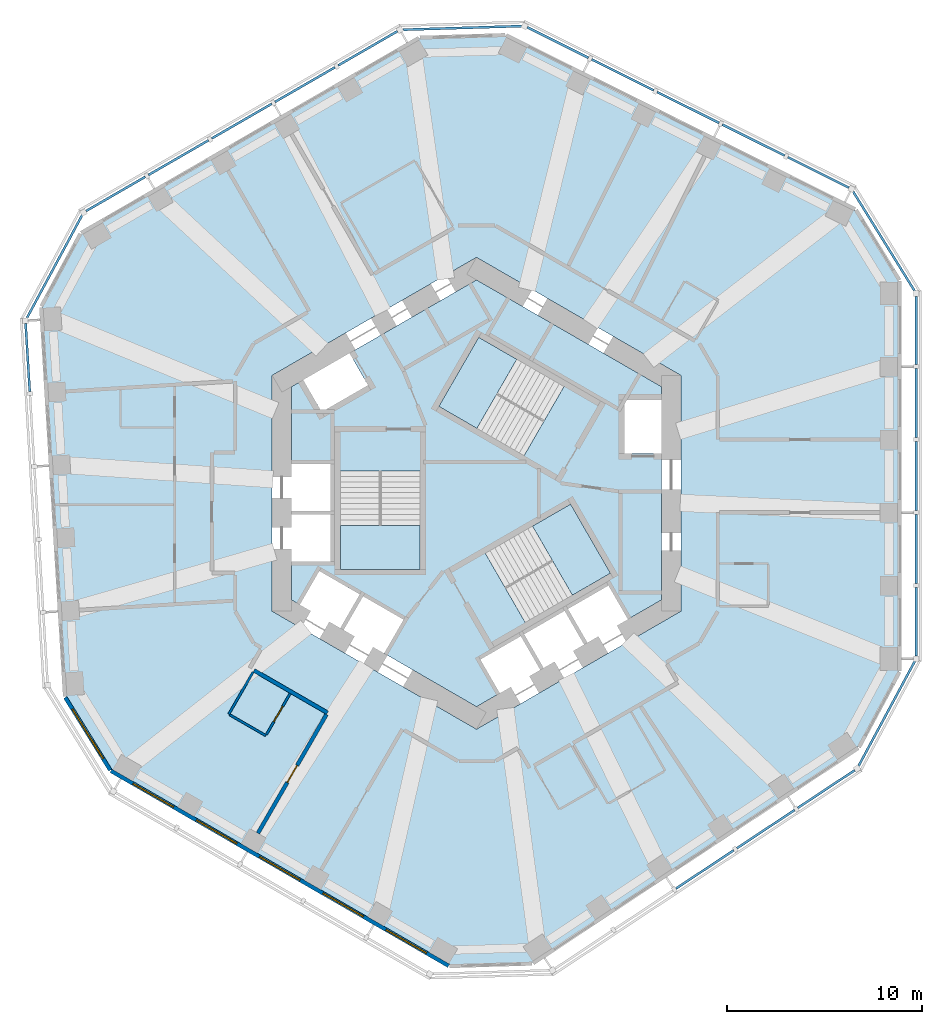
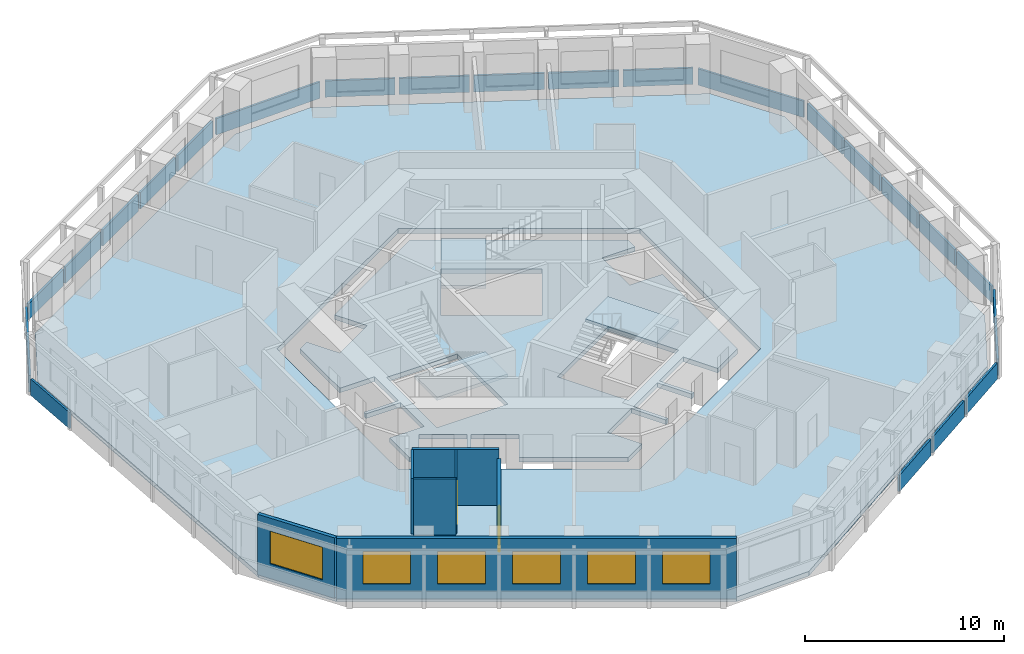
# One storey, part 3 of 11: 23 plates, 7 walls, 6 windows, 5 slabs, 2 doors, 8 openings, 12 elements without a shape of their own.
"""IFC4 building model written with IfcOpenShell, lengths in metres."""

from ifc_helpers import new_model, si_unit, direction, frame, frame_2d, origin, origin_2d, place, context, subcontext, project, spatial, polyline, rectangle, outline, extrude, material, layer, layer_set, type_object, element, fill, aggregate, save


model = new_model("IFC4")

# Units and contexts
model_context = context("Model", 3, precision=1e-05, world=origin(), true_north=direction((0.0, 1.0)))
body_context = subcontext(model_context, "Body", "Model", "MODEL_VIEW")
ifc_project = project(units=[si_unit("LENGTHUNIT", "METRE"), si_unit("AREAUNIT", "SQUARE_METRE"), si_unit("VOLUMEUNIT", "CUBIC_METRE"), si_unit("PLANEANGLEUNIT", "RADIAN"), si_unit("MASSUNIT", "GRAM", prefix="KILO")], contexts=[model_context])

# Site, building, storey
site_placement = place(None, origin())
site = spatial("IfcSite", under=ifc_project, at=site_placement, CompositionType="ELEMENT")
building_placement = place(site_placement, origin())
building = spatial("IfcBuilding", under=site, at=building_placement, Name="Vanh Sen Convention Tower", CompositionType="ELEMENT")
storey_placement = place(building_placement, frame((0.0, 0.0, 154.0)))
storey = spatial("IfcBuildingStorey", under=building, at=storey_placement, Name="L37", CompositionType="ELEMENT", Elevation=154.0)

# Slabs
ifc_material_1 = material(Name="Concrete C40/50", Category="concrete")
ifc_layer_1 = layer(ifc_material_1, 0.280029296875)
ifc_layer_set_1 = layer_set([ifc_layer_1], Name="Concrete C40/50")
slab_type_1 = type_object("IfcSlabType", Name="Core slab 280", PredefinedType="FLOOR", material=ifc_layer_set_1)
slab_1_placement = place(storey_placement, frame((0.0, 0.0, -0.280029296875)))
element("IfcSlab", 1, at=slab_1_placement, inside=storey, type_object=slab_type_1, Name="Core slab L37", PredefinedType="FLOOR", context=body_context, shape_type="SweptSolid", body=[
    extrude(outline(polyline([(0.0, 10.9697265625), (9.5, 5.48486328125), (9.5, 4.800048828125), (7.60009765625, 4.800048828125), (7.60009765625, 2.050048828125), (9.5, 2.050048828125), (9.5, -5.48486328125), (7.781005859375, -6.477294921875), (6.781005859375, -4.7451171875), (4.70263671875, -5.9453125), (5.70263671875, -7.67724609375), (5.529296875, -7.777099609375), (4.529296875, -6.045166015625), (2.450927734375, -7.2451171875), (3.450927734375, -8.977294921875), (3.27783203125, -9.0771484375), (2.27783203125, -7.34521484375), (0.19921875, -8.545166015625), (1.19921875, -10.277099609375), (0.0, -10.9697265625), (-4.75, -8.227294921875), (-3.75, -6.4951171875), (-5.82861328125, -5.295166015625), (-6.82861328125, -7.027099609375), (-7.001708984375, -6.92724609375), (-6.001708984375, -5.1953125), (-8.080078125, -3.9951171875), (-9.080078125, -5.727294921875), (-9.5, -5.48486328125), (-9.5, -3.5), (-7.5, -3.5), (-7.5, -1.10009765625), (-9.5, -1.10009765625), (-9.5, -0.89990234375), (-7.5, -0.89990234375), (-7.5, 1.5), (-9.5, 1.5), (-9.5, 5.48486328125), (-8.906982421875, 5.8271484375), (-7.956787109375, 4.181884765625), (-5.575439453125, 5.556884765625), (-6.525390625, 7.2021484375), (0.0, 10.9697265625)]), holes=[polyline([(-7.0, 1.1494140625), (-7.0, -3.909912109375), (-2.89990234375, -3.909912109375), (-2.89990234375, 1.1494140625), (-7.0, 1.1494140625)]), polyline([(2.504638671875, -6.63671875), (6.88623046875, -4.107177734375), (4.836181640625, -0.556396484375), (0.45458984375, -3.086181640625), (2.504638671875, -6.63671875)]), polyline([(0.11376953125, 8.01708984375), (-1.936279296875, 4.466552734375), (2.4453125, 1.936767578125), (4.495361328125, 5.487548828125), (0.11376953125, 8.01708984375)])]), origin(), (0.0, 0.0, 1.0), 0.280029296875),
])
ifc_layer_2 = layer(ifc_material_1, 0.280029296875)
ifc_layer_set_2 = layer_set([ifc_layer_2], Name="Concrete C40/50")
slab_type_2 = type_object("IfcSlabType", Name="Floor slab 280 REI 120", PredefinedType="FLOOR", material=ifc_layer_set_2)
slab_2_placement = place(storey_placement, frame((0.0, 0.0, -0.280029296875)))
element("IfcSlab", 2, at=slab_2_placement, inside=storey, type_object=slab_type_2, Name="Floor slab L37 tower", PredefinedType="FLOOR", context=body_context, shape_type="SweptSolid", body=[
    extrude(outline(polyline([(21.699951171875, -9.15087890625), (21.699951171875, 10.91943359375), (19.454833984375, 14.5478515625), (1.492919921875, 23.503173828125), (-2.925048828125, 23.368408203125), (-20.306640625, 13.3330078125), (-22.326171875, 9.574462890625), (-21.100830078125, -10.458740234375), (-18.77490234375, -14.21728515625), (-1.393310546875, -24.25244140625), (2.871337890625, -24.122314453125), (19.60791015625, -13.04443359375), (21.699951171875, -9.15087890625)]), holes=[polyline([(0.0, 12.12451171875), (-10.5, 6.062255859375), (-10.5, -6.062255859375), (0.0, -12.12451171875), (10.5, -6.062255859375), (10.5, 6.062255859375), (0.0, 12.12451171875)])]), origin(), (0.0, 0.0, 1.0), 0.280029296875),
])

# Curtain wall, plates
ifc_material_2 = material(Name="Concrete C50/60", Category="concrete")
curtain_wall_type = type_object("IfcCurtainWallType", Name="Outer skin office zone", PredefinedType="NOTDEFINED", material=ifc_material_2)
curtain_wall_1_placement = place(storey_placement, origin())
curtain_wall_1 = element("IfcCurtainWall", 3, at=curtain_wall_1_placement, inside=storey, type_object=curtain_wall_type, Name="OUTER SKIN E L37", PredefinedType="NOTDEFINED")
ifc_layer_3 = layer(ifc_material_2, 0.1201171875)
ifc_layer_set_3 = layer_set([ifc_layer_3], Name="Concrete C50/60")
plate_type = type_object("IfcPlateType", Name="Outer skin precast screen panel 120", PredefinedType="CURTAIN_PANEL", material=ifc_layer_set_3)
plate_1_placement = place(storey_placement, frame((22.60009765625, -6.59912109375, 0.0), z_axis=(0.0, 0.0, 1.0), x_axis=(0.0, 1.0, 0.0)))
plate_1 = element("IfcPlate", 4, at=plate_1_placement, type_object=plate_type, Name="OUTER SKIN screen panel E-1", PredefinedType="CURTAIN_PANEL", context=body_context, shape_type="SweptSolid", body=[
    extrude(rectangle(XDim=3.504150390625, YDim=0.1201171875, at=origin_2d()), origin(), (0.0, 0.0, 1.0), 1.0),
])
plate_2_placement = place(storey_placement, frame((22.60009765625, -2.869873046875, 0.0), z_axis=(0.0, 0.0, 1.0), x_axis=(0.0, 1.0, 0.0)))
plate_2 = element("IfcPlate", 5, at=plate_2_placement, type_object=plate_type, Name="OUTER SKIN screen panel E-2", PredefinedType="CURTAIN_PANEL", context=body_context, shape_type="SweptSolid", body=[
    extrude(rectangle(XDim=3.55419921875, YDim=0.1201171875, at=origin_2d()), origin(), (0.0, 0.0, 1.0), 1.0),
])
plate_3_placement = place(storey_placement, frame((22.60009765625, 0.88427734375, 0.0), z_axis=(0.0, 0.0, 1.0), x_axis=(0.0, 1.0, 0.0)))
plate_3 = element("IfcPlate", 6, at=plate_3_placement, type_object=plate_type, Name="OUTER SKIN screen panel E-3", PredefinedType="CURTAIN_PANEL", context=body_context, shape_type="SweptSolid", body=[
    extrude(rectangle(XDim=3.55419921875, YDim=0.1201171875, at=origin_2d()), origin(), (0.0, 0.0, 1.0), 1.0),
])
plate_4_placement = place(storey_placement, frame((22.60009765625, 4.63818359375, 0.0), z_axis=(0.0, 0.0, 1.0), x_axis=(0.0, 1.0, 0.0)))
plate_4 = element("IfcPlate", 7, at=plate_4_placement, type_object=plate_type, Name="OUTER SKIN screen panel E-4", PredefinedType="CURTAIN_PANEL", context=body_context, shape_type="SweptSolid", body=[
    extrude(rectangle(XDim=3.55419921875, YDim=0.1201171875, at=origin_2d()), origin(), (0.0, 0.0, 1.0), 1.0),
])
plate_5_placement = place(storey_placement, frame((22.60009765625, 8.367431640625, 0.0), z_axis=(0.0, 0.0, 1.0), x_axis=(0.0, 1.0, 0.0)))
plate_5 = element("IfcPlate", 8, at=plate_5_placement, type_object=plate_type, Name="OUTER SKIN screen panel E-5", PredefinedType="CURTAIN_PANEL", context=body_context, shape_type="SweptSolid", body=[
    extrude(rectangle(XDim=3.504150390625, YDim=0.1201171875, at=origin_2d()), origin(), (0.0, 0.0, 1.0), 1.0),
])
aggregate(curtain_wall_1, [plate_1, plate_2, plate_3, plate_4, plate_5])

# Curtain wall, plate
curtain_wall_2_placement = place(storey_placement, origin())
curtain_wall_2 = element("IfcCurtainWall", 9, at=curtain_wall_2_placement, inside=storey, type_object=curtain_wall_type, Name="OUTER SKIN CH1 L37", PredefinedType="NOTDEFINED")
plate_6_placement = place(storey_placement, frame((20.937255859375, 12.956298828125, 0.0), z_axis=(0.0, 0.0, 1.0), x_axis=(-0.5262035346, 0.850358653848, 0.0)))
plate_6 = element("IfcPlate", 10, at=plate_6_placement, type_object=plate_type, Name="OUTER SKIN screen panel CH1-1", PredefinedType="CURTAIN_PANEL", context=body_context, shape_type="SweptSolid", body=[
    extrude(rectangle(XDim=6.01953125, YDim=0.1201171875, at=origin_2d()), origin(), (0.0, 0.0, 1.0), 1.0),
])
aggregate(curtain_wall_2, [plate_6])

# Curtain wall, plates
curtain_wall_3_placement = place(storey_placement, origin())
curtain_wall_3 = element("IfcCurtainWall", 11, at=curtain_wall_3_placement, inside=storey, type_object=curtain_wall_type, Name="OUTER SKIN NE L37", PredefinedType="NOTDEFINED")
plate_7_placement = place(storey_placement, frame((17.572509765625, 16.491943359375, 0.0), z_axis=(0.0, 0.0, 1.0), x_axis=(-0.894943706551, 0.446179069551, 0.0)))
plate_7 = element("IfcPlate", 12, at=plate_7_placement, type_object=plate_type, Name="OUTER SKIN screen panel NE-1", PredefinedType="CURTAIN_PANEL", context=body_context, shape_type="SweptSolid", body=[
    extrude(rectangle(XDim=3.504150390625, YDim=0.1201171875, at=origin_2d()), origin(), (0.0, 0.0, 1.0), 1.0),
])
plate_8_placement = place(storey_placement, frame((14.235107421875, 18.156005859375, 0.0), z_axis=(0.0, 0.0, 1.0), x_axis=(-0.894932804072, 0.446200937017, 0.0)))
plate_8 = element("IfcPlate", 13, at=plate_8_placement, type_object=plate_type, Name="OUTER SKIN screen panel NE-2", PredefinedType="CURTAIN_PANEL", context=body_context, shape_type="SweptSolid", body=[
    extrude(rectangle(XDim=3.55419921875, YDim=0.1201171875, at=origin_2d()), origin(), (0.0, 0.0, 1.0), 1.0),
])
plate_9_placement = place(storey_placement, frame((10.87548828125, 19.8310546875, 0.0), z_axis=(0.0, 0.0, 1.0), x_axis=(-0.894932804072, 0.446200937017, 0.0)))
plate_9 = element("IfcPlate", 14, at=plate_9_placement, type_object=plate_type, Name="OUTER SKIN screen panel NE-3", PredefinedType="CURTAIN_PANEL", context=body_context, shape_type="SweptSolid", body=[
    extrude(rectangle(XDim=3.55419921875, YDim=0.1201171875, at=origin_2d()), origin(), (0.0, 0.0, 1.0), 1.0),
])
plate_10_placement = place(storey_placement, frame((7.515625, 21.506103515625, 0.0), z_axis=(0.0, 0.0, 1.0), x_axis=(-0.894932804072, 0.446200937017, 0.0)))
plate_10 = element("IfcPlate", 15, at=plate_10_placement, type_object=plate_type, Name="OUTER SKIN screen panel NE-4", PredefinedType="CURTAIN_PANEL", context=body_context, shape_type="SweptSolid", body=[
    extrude(rectangle(XDim=3.55419921875, YDim=0.1201171875, at=origin_2d()), origin(), (0.0, 0.0, 1.0), 1.0),
])
plate_11_placement = place(storey_placement, frame((4.178466796875, 23.169921875, 0.0), z_axis=(0.0, 0.0, 1.0), x_axis=(-0.894943706551, 0.446179069551, 0.0)))
plate_11 = element("IfcPlate", 16, at=plate_11_placement, type_object=plate_type, Name="OUTER SKIN screen panel NE-5", PredefinedType="CURTAIN_PANEL", context=body_context, shape_type="SweptSolid", body=[
    extrude(rectangle(XDim=3.504150390625, YDim=0.1201171875, at=origin_2d()), origin(), (0.0, 0.0, 1.0), 1.0),
])
aggregate(curtain_wall_3, [plate_7, plate_8, plate_9, plate_10, plate_11])

# Curtain wall, plate
curtain_wall_4_placement = place(storey_placement, origin())
curtain_wall_4 = element("IfcCurtainWall", 17, at=curtain_wall_4_placement, inside=storey, type_object=curtain_wall_type, Name="OUTER SKIN CH2 L37", PredefinedType="NOTDEFINED")
plate_12_placement = place(storey_placement, frame((-0.73095703125, 23.920654296875, 0.0), z_axis=(0.0, 0.0, 1.0), x_axis=(-0.999533590837, -0.03053851321, 0.0)))
plate_12 = element("IfcPlate", 18, at=plate_12_placement, type_object=plate_type, Name="OUTER SKIN screen panel CH2-1", PredefinedType="CURTAIN_PANEL", context=body_context, shape_type="SweptSolid", body=[
    extrude(rectangle(XDim=6.1171875, YDim=0.1201171875, at=origin_2d()), origin(), (0.0, 0.0, 1.0), 1.0),
])
aggregate(curtain_wall_4, [plate_12])

# Curtain wall, plates
curtain_wall_5_placement = place(storey_placement, origin())
curtain_wall_5 = element("IfcCurtainWall", 19, at=curtain_wall_5_placement, inside=storey, type_object=curtain_wall_type, Name="OUTER SKIN NW L37", PredefinedType="NOTDEFINED")
plate_13_placement = place(storey_placement, frame((-5.585205078125, 22.87158203125, 0.0), z_axis=(0.0, 0.0, 1.0), x_axis=(-0.866035002936, -0.499983373414, 0.0)))
plate_13 = element("IfcPlate", 20, at=plate_13_placement, type_object=plate_type, Name="OUTER SKIN screen panel NW-1", PredefinedType="CURTAIN_PANEL", context=body_context, shape_type="SweptSolid", body=[
    extrude(rectangle(XDim=3.504150390625, YDim=0.1201171875, at=origin_2d()), origin(), (0.0, 0.0, 1.0), 1.0),
])
plate_14_placement = place(storey_placement, frame((-8.814697265625, 21.007080078125, 0.0), z_axis=(0.0, 0.0, 1.0), x_axis=(-0.866016677006, -0.500015114919, 0.0)))
plate_14 = element("IfcPlate", 21, at=plate_14_placement, type_object=plate_type, Name="OUTER SKIN screen panel NW-2", PredefinedType="CURTAIN_PANEL", context=body_context, shape_type="SweptSolid", body=[
    extrude(rectangle(XDim=3.55419921875, YDim=0.1201171875, at=origin_2d()), origin(), (0.0, 0.0, 1.0), 1.0),
])
plate_15_placement = place(storey_placement, frame((-12.06591796875, 19.1298828125, 0.0), z_axis=(0.0, 0.0, 1.0), x_axis=(-0.866035002936, -0.499983373414, 0.0)))
plate_15 = element("IfcPlate", 22, at=plate_15_placement, type_object=plate_type, Name="OUTER SKIN screen panel NW-3", PredefinedType="CURTAIN_PANEL", context=body_context, shape_type="SweptSolid", body=[
    extrude(rectangle(XDim=3.55419921875, YDim=0.1201171875, at=origin_2d()), origin(), (0.0, 0.0, 1.0), 1.0),
])
plate_16_placement = place(storey_placement, frame((-15.31689453125, 17.2529296875, 0.0), z_axis=(0.0, 0.0, 1.0), x_axis=(-0.866016677006, -0.500015114919, 0.0)))
plate_16 = element("IfcPlate", 23, at=plate_16_placement, type_object=plate_type, Name="OUTER SKIN screen panel NW-4", PredefinedType="CURTAIN_PANEL", context=body_context, shape_type="SweptSolid", body=[
    extrude(rectangle(XDim=3.55419921875, YDim=0.1201171875, at=origin_2d()), origin(), (0.0, 0.0, 1.0), 1.0),
])
plate_17_placement = place(storey_placement, frame((-18.54638671875, 15.388427734375, 0.0), z_axis=(0.0, 0.0, 1.0), x_axis=(-0.866035002936, -0.499983373414, 0.0)))
plate_17 = element("IfcPlate", 24, at=plate_17_placement, type_object=plate_type, Name="OUTER SKIN screen panel NW-5", PredefinedType="CURTAIN_PANEL", context=body_context, shape_type="SweptSolid", body=[
    extrude(rectangle(XDim=3.504150390625, YDim=0.1201171875, at=origin_2d()), origin(), (0.0, 0.0, 1.0), 1.0),
])
aggregate(curtain_wall_5, [plate_13, plate_14, plate_15, plate_16, plate_17])

# Curtain wall, plate
curtain_wall_6_placement = place(storey_placement, origin())
curtain_wall_6 = element("IfcCurtainWall", 25, at=curtain_wall_6_placement, inside=storey, type_object=curtain_wall_type, Name="OUTER SKIN CH3 L37", PredefinedType="NOTDEFINED")
plate_18_placement = place(storey_placement, frame((-21.689208984375, 11.654052734375, 0.0), z_axis=(0.0, 0.0, 1.0), x_axis=(-0.47331812974, -0.880891564303, 0.0)))
plate_18 = element("IfcPlate", 26, at=plate_18_placement, type_object=plate_type, Name="OUTER SKIN screen panel CH3-1", PredefinedType="CURTAIN_PANEL", context=body_context, shape_type="SweptSolid", body=[
    extrude(rectangle(XDim=6.019287109375, YDim=0.1201171875, at=origin_2d()), origin(), (0.0, 0.0, 1.0), 1.0),
])
aggregate(curtain_wall_6, [plate_18])

curtain_wall_7_placement = place(storey_placement, origin())
curtain_wall_7 = element("IfcCurtainWall", 27, at=curtain_wall_7_placement, inside=storey, type_object=curtain_wall_type, Name="OUTER SKIN W L37", PredefinedType="NOTDEFINED")
plate_19_placement = place(storey_placement, frame((-23.068603515625, 6.97216796875, 0.0), z_axis=(0.0, 0.0, 1.0), x_axis=(0.061053765756, -0.998134478759, 0.0)))
plate_19 = element("IfcPlate", 28, at=plate_19_placement, type_object=plate_type, Name="OUTER SKIN screen panel W-1", PredefinedType="CURTAIN_PANEL", context=body_context, shape_type="SweptSolid", body=[
    extrude(rectangle(XDim=3.504150390625, YDim=0.1201171875, at=origin_2d()), origin(), (0.0, 0.0, 1.0), 1.0),
])
aggregate(curtain_wall_7, [plate_19])

# Curtain wall, plates
curtain_wall_8_placement = place(storey_placement, origin())
curtain_wall_8 = element("IfcCurtainWall", 29, at=curtain_wall_8_placement, inside=storey, type_object=curtain_wall_type, Name="OUTER SKIN SE L37", PredefinedType="NOTDEFINED")
plate_20_placement = place(storey_placement, frame((11.736328125, -19.333984375, 0.0), z_axis=(0.0, 0.0, 1.0), x_axis=(0.833877152158, 0.551950083892, 0.0)))
plate_20 = element("IfcPlate", 30, at=plate_20_placement, type_object=plate_type, Name="OUTER SKIN screen panel SE-3", PredefinedType="CURTAIN_PANEL", context=body_context, shape_type="SweptSolid", body=[
    extrude(rectangle(XDim=3.55419921875, YDim=0.1201171875, at=origin_2d()), origin(), (0.0, 0.0, 1.0), 1.0),
])
plate_21_placement = place(storey_placement, frame((14.866943359375, -17.26171875, 0.0), z_axis=(0.0, 0.0, 1.0), x_axis=(0.833889675294, 0.551931163677, 0.0)))
plate_21 = element("IfcPlate", 31, at=plate_21_placement, type_object=plate_type, Name="OUTER SKIN screen panel SE-4", PredefinedType="CURTAIN_PANEL", context=body_context, shape_type="SweptSolid", body=[
    extrude(rectangle(XDim=3.55419921875, YDim=0.1201171875, at=origin_2d()), origin(), (0.0, 0.0, 1.0), 1.0),
])
plate_22_placement = place(storey_placement, frame((17.9765625, -15.20361328125, 0.0), z_axis=(0.0, 0.0, 1.0), x_axis=(0.833889675294, 0.551931163677, 0.0)))
plate_22 = element("IfcPlate", 32, at=plate_22_placement, type_object=plate_type, Name="OUTER SKIN screen panel SE-5", PredefinedType="CURTAIN_PANEL", context=body_context, shape_type="SweptSolid", body=[
    extrude(rectangle(XDim=3.504150390625, YDim=0.1201171875, at=origin_2d()), origin(), (0.0, 0.0, 1.0), 1.0),
])
aggregate(curtain_wall_8, [plate_20, plate_21, plate_22])

# Curtain wall, plate
curtain_wall_9_placement = place(storey_placement, origin())
curtain_wall_9 = element("IfcCurtainWall", 33, at=curtain_wall_9_placement, inside=storey, type_object=curtain_wall_type, Name="OUTER SKIN CH6 L37", PredefinedType="NOTDEFINED")
plate_23_placement = place(storey_placement, frame((21.081298828125, -11.327392578125, 0.0), z_axis=(0.0, 0.0, 1.0), x_axis=(0.473321204628, 0.880889912105, 0.0)))
plate_23 = element("IfcPlate", 34, at=plate_23_placement, type_object=plate_type, Name="OUTER SKIN screen panel CH6-1", PredefinedType="CURTAIN_PANEL", context=body_context, shape_type="SweptSolid", body=[
    extrude(rectangle(XDim=6.1171875, YDim=0.1201171875, at=origin_2d()), origin(), (0.0, 0.0, 1.0), 1.0),
])
aggregate(curtain_wall_9, [plate_23])

# Stair, slab
ifc_material_3 = material(Name="Concrete C50/60", Category="concrete")
stair_type_1 = type_object("IfcStairType", Name="Exit stair ST1 22 risers at 168.2", PredefinedType="HALF_TURN_STAIR", material=ifc_material_3)
stair_1_placement = place(storey_placement, origin())
stair_1 = element("IfcStair", 35, at=stair_1_placement, inside=storey, type_object=stair_type_1, Name="Exit stair ST1 L37", PredefinedType="HALF_TURN_STAIR")
ifc_layer_4 = layer(ifc_material_1, 0.199951171875)
ifc_layer_set_4 = layer_set([ifc_layer_4], Name="Concrete C40/50")
slab_type_3 = type_object("IfcSlabType", Name="Stair landing 200", PredefinedType="LANDING", material=ifc_layer_set_4)
slab_3_placement = place(storey_placement, frame((0.0, 0.0, 1.64990234375)))
slab_3 = element("IfcSlab", 36, at=slab_3_placement, type_object=slab_type_3, Name="ST1 landing 1", PredefinedType="LANDING", context=body_context, shape_type="SweptSolid", body=[
    extrude(outline(polyline([(2.07177734375, 6.88671875), (0.11376953125, 8.01708984375), (-1.936279296875, 4.466552734375), (0.021728515625, 3.336181640625), (2.07177734375, 6.88671875)])), origin(), (0.0, 0.0, 1.0), 0.2001953125),
])
aggregate(stair_1, [slab_3])

stair_type_2 = type_object("IfcStairType", Name="Exit stair ST2 22 risers at 168.2", PredefinedType="HALF_TURN_STAIR", material=ifc_material_3)
stair_2_placement = place(storey_placement, origin())
stair_2 = element("IfcStair", 37, at=stair_2_placement, inside=storey, type_object=stair_type_2, Name="Exit stair ST2 L37", PredefinedType="HALF_TURN_STAIR")
slab_4_placement = place(storey_placement, frame((0.0, 0.0, 1.64990234375)))
slab_4 = element("IfcSlab", 38, at=slab_4_placement, type_object=slab_type_3, Name="ST2 landing 1", PredefinedType="LANDING", context=body_context, shape_type="SweptSolid", body=[
    extrude(outline(polyline([(-7.0, -1.6494140625), (-7.0, -3.909912109375), (-2.89990234375, -3.909912109375), (-2.89990234375, -1.6494140625), (-7.0, -1.6494140625)])), origin(), (0.0, 0.0, 1.0), 0.2001953125),
])
aggregate(stair_2, [slab_4])

stair_type_3 = type_object("IfcStairType", Name="Exit stair ST3 22 risers at 168.2", PredefinedType="HALF_TURN_STAIR", material=ifc_material_3)
stair_3_placement = place(storey_placement, origin())
stair_3 = element("IfcStair", 39, at=stair_3_placement, inside=storey, type_object=stair_type_3, Name="Exit stair ST3 L37", PredefinedType="HALF_TURN_STAIR")
slab_5_placement = place(storey_placement, frame((0.0, 0.0, 1.64990234375)))
slab_5 = element("IfcSlab", 40, at=slab_5_placement, type_object=slab_type_3, Name="ST3 landing 1", PredefinedType="LANDING", context=body_context, shape_type="SweptSolid", body=[
    extrude(outline(polyline([(4.92822265625, -5.237548828125), (6.88623046875, -4.107177734375), (4.836181640625, -0.556396484375), (2.87841796875, -1.686767578125), (4.92822265625, -5.237548828125)])), origin(), (0.0, 0.0, 1.0), 0.2001953125),
])
aggregate(stair_3, [slab_5])

# Walls
ifc_material_4 = material(Name="Moisture-resistant gypsum board on steel studs", Category="steel")
ifc_layer_5 = layer(ifc_material_4, 0.1201171875)
ifc_layer_set_5 = layer_set([ifc_layer_5], Name="Moisture-resistant gypsum board on steel studs")
wall_type_1 = type_object("IfcWallType", Name="Bathroom partition 120", PredefinedType="PARTITIONING", material=ifc_layer_set_5)
wall_1_placement = place(storey_placement, frame((-12.734619140625, -11.35498046875, 0.0), z_axis=(0.0, 0.0, 1.0), x_axis=(0.500004234368, 0.866022959057, 0.0)))
element("IfcWall", 41, at=wall_1_placement, inside=storey, type_object=wall_type_1, Name="Bathroom partition 120", PredefinedType="PARTITIONING", context=body_context, shape_type="SweptSolid", body=[
    extrude(rectangle(XDim=2.5, YDim=0.1201171875, at=frame_2d((1.25, 0.0))), origin(), (0.0, 0.0, 1.0), 3.419921875),
])
wall_2_placement = place(storey_placement, frame((-10.829345703125, -12.455078125, 0.0), z_axis=(0.0, 0.0, 1.0), x_axis=(-0.86600889856, 0.500028586798, 0.0)))
element("IfcWall", 42, at=wall_2_placement, inside=storey, type_object=wall_type_1, Name="Bathroom partition 120", PredefinedType="PARTITIONING", context=body_context, shape_type="SweptSolid", body=[
    extrude(rectangle(XDim=2.139892578125, YDim=0.1201171875, at=frame_2d((1.06982421875, 0.0))), origin(), (0.0, 0.0, 1.0), 3.419921875),
])

# Wall, opening, door
wall_3_placement = place(storey_placement, frame((-9.579345703125, -10.289794921875, 0.0), z_axis=(0.0, 0.0, 1.0), x_axis=(-0.499959183527, -0.866048967903, 0.0)))
wall_3 = element("IfcWall", 43, at=wall_3_placement, inside=storey, type_object=wall_type_1, Name="Bathroom partition 120", PredefinedType="PARTITIONING", context=body_context, shape_type="SweptSolid", body=[
    extrude(rectangle(XDim=2.440185546875, YDim=0.1201171875, at=frame_2d((1.22021484375, 0.0))), origin(), (0.0, 0.0, 1.0), 3.419921875),
])
opening_1_placement = place(wall_3_placement, frame((0.77001953125, 0.0, 0.0)))
opening_1 = element("IfcOpeningElement", 44, at=opening_1_placement, cuts=wall_3, Name="Opening D35112", PredefinedType="OPENING", context=body_context, shape_type="SweptSolid", body=[
    extrude(rectangle(XDim=0.89990234375, YDim=2.10009765625, at=frame_2d((0.449951171875, 1.050048828125))), frame((0.0, 0.070068359375, 0.0), z_axis=(0.0, -1.0, 0.0), x_axis=(1.0, 0.0, 0.0)), (0.0, 0.0, 1.0), 0.14013671875),
])
ifc_material_5 = material(Name="Laminate door in steel frame", Category="steel")
door_type_1 = type_object("IfcDoorType", Name="Room internal door 900", OperationType="SINGLE_SWING_LEFT", PredefinedType="DOOR", material=ifc_material_5)
door_1_placement = place(opening_1_placement, origin())
door_1 = element("IfcDoor", 45, at=door_1_placement, inside=storey, type_object=door_type_1, Name="Internal room door D35112", OperationType="SINGLE_SWING_LEFT", OverallHeight=2.10009765625, OverallWidth=0.89990234375, PredefinedType="DOOR", context=body_context, shape_type="SweptSolid", body=[
    extrude(rectangle(XDim=0.89990234375, YDim=2.10009765625, at=frame_2d((0.449951171875, 1.050048828125))), frame((0.0, 0.02490234375, 0.0), z_axis=(0.0, -1.0, 0.0), x_axis=(1.0, 0.0, 0.0)), (0.0, 0.0, 1.0), 0.050048828125),
])
fill(opening_1, door_1)

# Wall
ifc_material_6 = material(Name="Gypsum board on steel studs with mineral wool", Category="steel")
ifc_layer_6 = layer(ifc_material_6, 0.199951171875)
ifc_layer_set_6 = layer_set([ifc_layer_6], Name="Gypsum board on steel studs with mineral wool")
wall_type_2 = type_object("IfcWallType", Name="Corridor partition wall 200", PredefinedType="PARTITIONING", material=ifc_layer_set_6)
wall_4_placement = place(storey_placement, frame((-11.4345703125, -9.103271484375, 0.0), z_axis=(0.0, 0.0, 1.0), x_axis=(0.866007399799, -0.500031182522, 0.0)))
element("IfcWall", 46, at=wall_4_placement, inside=storey, type_object=wall_type_2, Name="Corridor partition wall 200", PredefinedType="PARTITIONING", context=body_context, shape_type="SweptSolid", body=[
    extrude(rectangle(XDim=4.358154296875, YDim=0.199951171875, at=frame_2d((2.17919921875, 0.0))), origin(), (0.0, 0.0, 1.0), 3.419921875),
])

# Wall, opening, door
wall_5_placement = place(storey_placement, frame((-11.23486328125, -17.4736328125, 0.0), z_axis=(0.0, 0.0, 1.0), x_axis=(0.500009260695, 0.866020057054, 0.0)))
wall_5 = element("IfcWall", 47, at=wall_5_placement, inside=storey, type_object=wall_type_2, Name="Corridor partition wall 200", PredefinedType="PARTITIONING", context=body_context, shape_type="SweptSolid", body=[
    extrude(rectangle(XDim=7.049072265625, YDim=0.199951171875, at=frame_2d((3.5244140625, 0.0))), origin(), (0.0, 0.0, 1.0), 2.8701171875),
])
opening_2_placement = place(wall_5_placement, frame((3.0244140625, 0.0, 0.0)))
opening_2 = element("IfcOpeningElement", 48, at=opening_2_placement, cuts=wall_5, Name="Opening D35111", PredefinedType="OPENING", context=body_context, shape_type="SweptSolid", body=[
    extrude(rectangle(XDim=1.0, YDim=2.10009765625, at=frame_2d((0.5, 1.050048828125))), frame((0.0, 0.10986328125, 0.0), z_axis=(0.0, -1.0, 0.0), x_axis=(1.0, 0.0, 0.0)), (0.0, 0.0, 1.0), 0.219970703125),
])
ifc_material_7 = material(Name="Glazed fire door in steel frame", Category="steel")
door_type_2 = type_object("IfcDoorType", Name="Tenant entrance door 1000", OperationType="SINGLE_SWING_LEFT", PredefinedType="DOOR", material=ifc_material_7)
door_2_placement = place(opening_2_placement, origin())
door_2 = element("IfcDoor", 49, at=door_2_placement, inside=storey, type_object=door_type_2, Name="Tenant suite entrance door D35111", OperationType="SINGLE_SWING_LEFT", OverallHeight=2.10009765625, OverallWidth=1.0, PredefinedType="DOOR", context=body_context, shape_type="SweptSolid", body=[
    extrude(rectangle(XDim=1.0, YDim=2.10009765625, at=frame_2d((0.5, 1.050048828125))), frame((0.0, 0.02490234375, 0.0), z_axis=(0.0, -1.0, 0.0), x_axis=(1.0, 0.0, 0.0)), (0.0, 0.0, 1.0), 0.050048828125),
])
fill(opening_2, door_2)

# Wall, opening, window
ifc_material_8 = material(Name="Insulated lightweight infill wall")
ifc_layer_7 = layer(ifc_material_8, 0.199951171875)
ifc_layer_set_7 = layer_set([ifc_layer_7], Name="Insulated lightweight infill wall")
wall_type_3 = type_object("IfcWallType", Name="External wall 200", PredefinedType="STANDARD", material=ifc_layer_set_7)
wall_6_placement = place(storey_placement, frame((-21.13671875, -10.49560546875, 0.0), z_axis=(0.0, 0.0, 1.0), x_axis=(0.526178661629, -0.850374044786, 0.0)))
wall_6 = element("IfcWall", 50, at=wall_6_placement, inside=storey, type_object=wall_type_3, Name="External wall CH4 L37", PredefinedType="STANDARD", context=body_context, shape_type="SweptSolid", body=[
    extrude(rectangle(XDim=4.394775390625, YDim=0.199951171875, at=frame_2d((2.197265625, 0.0))), origin(), (0.0, 0.0, 1.0), 3.699951171875),
])
opening_3_placement = place(wall_6_placement, frame((0.697509765625, 0.0, 0.89990234375)))
opening_3 = element("IfcOpeningElement", 51, at=opening_3_placement, cuts=wall_6, Name="Opening WO2-CH41", PredefinedType="OPENING", context=body_context, shape_type="SweptSolid", body=[
    extrude(rectangle(XDim=3.0, YDim=2.0, at=frame_2d((1.5, 1.0))), frame((0.0, 0.10986328125, 0.0), z_axis=(0.0, -1.0, 0.0), x_axis=(1.0, 0.0, 0.0)), (0.0, 0.0, 1.0), 0.219970703125),
])
ifc_material_9 = material(Name="Aluminium frame with clear low-emissivity glass", Category="aluminium")
window_type_1 = type_object("IfcWindowType", Name="Office window 3000 x 2000", PartitioningType="SINGLE_PANEL", PredefinedType="WINDOW", material=ifc_material_9)
window_1_placement = place(opening_3_placement, origin())
window_1 = element("IfcWindow", 52, at=window_1_placement, inside=storey, type_object=window_type_1, Name="Window WO2-CH41", OverallHeight=2.0, OverallWidth=3.0, PartitioningType="SINGLE_PANEL", PredefinedType="WINDOW", context=body_context, shape_type="SweptSolid", body=[
    extrude(rectangle(XDim=3.0, YDim=2.0, at=frame_2d((1.5, 1.0))), frame((0.0, 0.030029296875, 0.0), z_axis=(0.0, -1.0, 0.0), x_axis=(1.0, 0.0, 0.0)), (0.0, 0.0, 1.0), 0.06005859375),
])
fill(opening_3, window_1)

# Wall, openings, windows
wall_7_placement = place(storey_placement, frame((-18.7890625, -14.266845703125, 0.0), z_axis=(0.0, 0.0, 1.0), x_axis=(0.866023315909, -0.500003616288, 0.0)))
wall_7 = element("IfcWall", 53, at=wall_7_placement, inside=storey, type_object=wall_type_3, Name="External wall SW L37", PredefinedType="STANDARD", context=body_context, shape_type="SweptSolid", body=[
    extrude(rectangle(XDim=20.043701171875, YDim=0.199951171875, at=frame_2d((10.02197265625, 0.0))), origin(), (0.0, 0.0, 1.0), 3.699951171875),
])
opening_4_placement = place(wall_7_placement, frame((1.314453125, 0.0, 0.89990234375)))
opening_4 = element("IfcOpeningElement", 54, at=opening_4_placement, cuts=wall_7, Name="Opening WO1-SW1", PredefinedType="OPENING", context=body_context, shape_type="SweptSolid", body=[
    extrude(rectangle(XDim=2.39990234375, YDim=2.0, at=frame_2d((1.199951171875, 1.0))), frame((0.0, 0.10986328125, 0.0), z_axis=(0.0, -1.0, 0.0), x_axis=(1.0, 0.0, 0.0)), (0.0, 0.0, 1.0), 0.219970703125),
])
opening_5_placement = place(wall_7_placement, frame((5.068603515625, 0.0, 0.89990234375)))
opening_5 = element("IfcOpeningElement", 55, at=opening_5_placement, cuts=wall_7, Name="Opening WO1-SW2", PredefinedType="OPENING", context=body_context, shape_type="SweptSolid", body=[
    extrude(rectangle(XDim=2.39990234375, YDim=2.0, at=frame_2d((1.199951171875, 1.0))), frame((0.0, 0.10986328125, 0.0), z_axis=(0.0, -1.0, 0.0), x_axis=(1.0, 0.0, 0.0)), (0.0, 0.0, 1.0), 0.219970703125),
])
opening_6_placement = place(wall_7_placement, frame((8.82275390625, 0.0, 0.89990234375)))
opening_6 = element("IfcOpeningElement", 56, at=opening_6_placement, cuts=wall_7, Name="Opening WO1-SW3", PredefinedType="OPENING", context=body_context, shape_type="SweptSolid", body=[
    extrude(rectangle(XDim=2.39990234375, YDim=2.0, at=frame_2d((1.199951171875, 1.0))), frame((0.0, 0.10986328125, 0.0), z_axis=(0.0, -1.0, 0.0), x_axis=(1.0, 0.0, 0.0)), (0.0, 0.0, 1.0), 0.219970703125),
])
opening_7_placement = place(wall_7_placement, frame((12.576904296875, 0.0, 0.89990234375)))
opening_7 = element("IfcOpeningElement", 57, at=opening_7_placement, cuts=wall_7, Name="Opening WO1-SW4", PredefinedType="OPENING", context=body_context, shape_type="SweptSolid", body=[
    extrude(rectangle(XDim=2.39990234375, YDim=2.0, at=frame_2d((1.199951171875, 1.0))), frame((0.0, 0.10986328125, 0.0), z_axis=(0.0, -1.0, 0.0), x_axis=(1.0, 0.0, 0.0)), (0.0, 0.0, 1.0), 0.219970703125),
])
opening_8_placement = place(wall_7_placement, frame((16.330810546875, 0.0, 0.89990234375)))
opening_8 = element("IfcOpeningElement", 58, at=opening_8_placement, cuts=wall_7, Name="Opening WO1-SW5", PredefinedType="OPENING", context=body_context, shape_type="SweptSolid", body=[
    extrude(rectangle(XDim=2.39990234375, YDim=2.0, at=frame_2d((1.199951171875, 1.0))), frame((0.0, 0.10986328125, 0.0), z_axis=(0.0, -1.0, 0.0), x_axis=(1.0, 0.0, 0.0)), (0.0, 0.0, 1.0), 0.219970703125),
])
window_type_2 = type_object("IfcWindowType", Name="Office window 2400 x 2000", PartitioningType="SINGLE_PANEL", PredefinedType="WINDOW", material=ifc_material_9)
window_2_placement = place(opening_4_placement, origin())
window_2 = element("IfcWindow", 59, at=window_2_placement, inside=storey, type_object=window_type_2, Name="Window WO1-SW1", OverallHeight=2.0, OverallWidth=2.39990234375, PartitioningType="SINGLE_PANEL", PredefinedType="WINDOW", context=body_context, shape_type="SweptSolid", body=[
    extrude(rectangle(XDim=2.39990234375, YDim=2.0, at=frame_2d((1.199951171875, 1.0))), frame((0.0, 0.030029296875, 0.0), z_axis=(0.0, -1.0, 0.0), x_axis=(1.0, 0.0, 0.0)), (0.0, 0.0, 1.0), 0.06005859375),
])
fill(opening_4, window_2)
window_3_placement = place(opening_5_placement, origin())
window_3 = element("IfcWindow", 60, at=window_3_placement, inside=storey, type_object=window_type_2, Name="Window WO1-SW2", OverallHeight=2.0, OverallWidth=2.39990234375, PartitioningType="SINGLE_PANEL", PredefinedType="WINDOW", context=body_context, shape_type="SweptSolid", body=[
    extrude(rectangle(XDim=2.39990234375, YDim=2.0, at=frame_2d((1.199951171875, 1.0))), frame((0.0, 0.030029296875, 0.0), z_axis=(0.0, -1.0, 0.0), x_axis=(1.0, 0.0, 0.0)), (0.0, 0.0, 1.0), 0.06005859375),
])
fill(opening_5, window_3)
window_4_placement = place(opening_6_placement, origin())
window_4 = element("IfcWindow", 61, at=window_4_placement, inside=storey, type_object=window_type_2, Name="Window WO1-SW3", OverallHeight=2.0, OverallWidth=2.39990234375, PartitioningType="SINGLE_PANEL", PredefinedType="WINDOW", context=body_context, shape_type="SweptSolid", body=[
    extrude(rectangle(XDim=2.39990234375, YDim=2.0, at=frame_2d((1.199951171875, 1.0))), frame((0.0, 0.030029296875, 0.0), z_axis=(0.0, -1.0, 0.0), x_axis=(1.0, 0.0, 0.0)), (0.0, 0.0, 1.0), 0.06005859375),
])
fill(opening_6, window_4)
window_5_placement = place(opening_7_placement, origin())
window_5 = element("IfcWindow", 62, at=window_5_placement, inside=storey, type_object=window_type_2, Name="Window WO1-SW4", OverallHeight=2.0, OverallWidth=2.39990234375, PartitioningType="SINGLE_PANEL", PredefinedType="WINDOW", context=body_context, shape_type="SweptSolid", body=[
    extrude(rectangle(XDim=2.39990234375, YDim=2.0, at=frame_2d((1.199951171875, 1.0))), frame((0.0, 0.030029296875, 0.0), z_axis=(0.0, -1.0, 0.0), x_axis=(1.0, 0.0, 0.0)), (0.0, 0.0, 1.0), 0.06005859375),
])
fill(opening_7, window_5)
window_6_placement = place(opening_8_placement, origin())
window_6 = element("IfcWindow", 63, at=window_6_placement, inside=storey, type_object=window_type_2, Name="Window WO1-SW5", OverallHeight=2.0, OverallWidth=2.39990234375, PartitioningType="SINGLE_PANEL", PredefinedType="WINDOW", context=body_context, shape_type="SweptSolid", body=[
    extrude(rectangle(XDim=2.39990234375, YDim=2.0, at=frame_2d((1.199951171875, 1.0))), frame((0.0, 0.030029296875, 0.0), z_axis=(0.0, -1.0, 0.0), x_axis=(1.0, 0.0, 0.0)), (0.0, 0.0, 1.0), 0.06005859375),
])
fill(opening_8, window_6)

save(model, "model.ifc")
